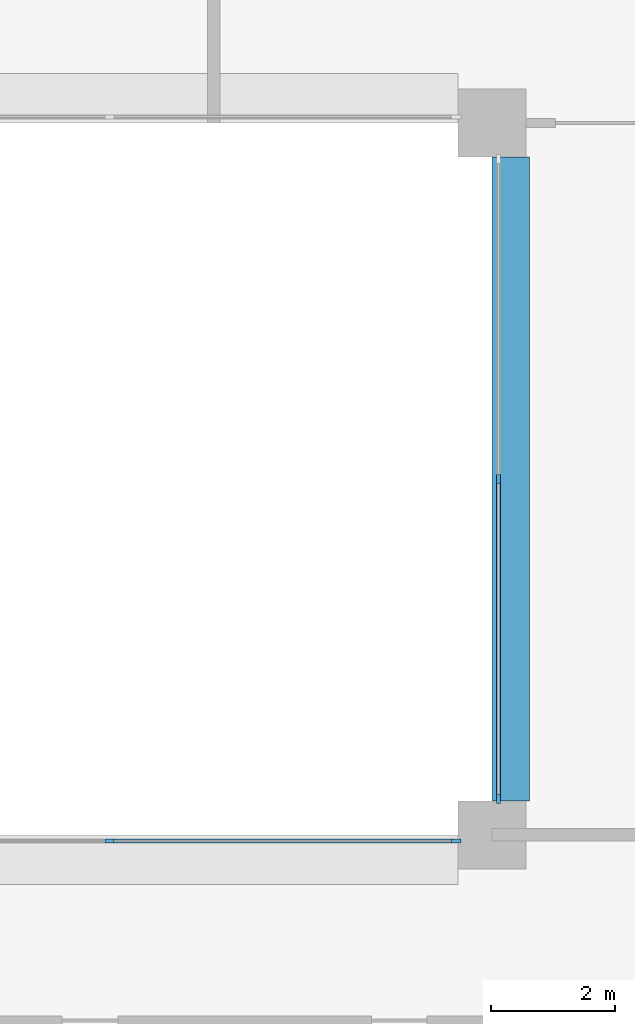
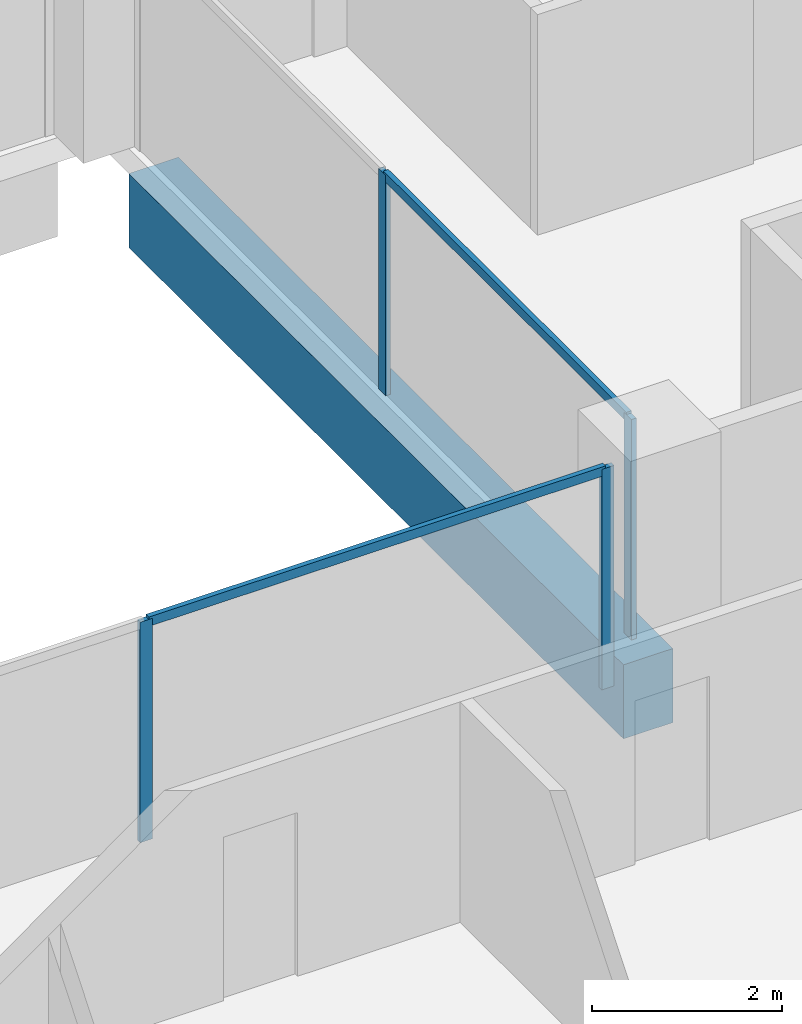
# One storey, part 4 of 15: 6 members, 1 beam, 2 elements without a shape of their own.
"""IFC4 building model written with IfcOpenShell, lengths in metres."""

import ifcopenshell
import ifcopenshell.guid

model = None  # the IFC model being written
_history = None  # IfcOwnerHistory: only IFC2X3 demands one
_inside = {}  # id of a spatial element -> (the spatial element, [elements in it])
_under = {}  # id of a project, library or spatial element -> (it, [spatial elements below it])
_declared = {}  # id of a project -> (the project, [libraries it declares])
_typed = {}  # id of a type object -> (the type object, [elements of that type])
_made_of = {}  # id of a material, layer set ... -> (it, [elements and type objects made of it])


def new_model(schema):
    """Start an empty IFC model of exactly this schema.

    Asked for "IFC4X3", IfcOpenShell would pick the latest addendum, in which some entities
    have other attributes; the version numbers below select the first issue.
    IFC2X3 requires an IfcOwnerHistory on every rooted entity: one is made here for all.
    """
    global model, _history
    if schema == "IFC4X3":
        model = ifcopenshell.file(schema_version=(4, 3, 0, 0))
    else:
        model = ifcopenshell.file(schema=schema)
    _inside.clear()
    _under.clear()
    _declared.clear()
    _typed.clear()
    _made_of.clear()
    _history = None
    if model.schema == "IFC2X3":
        org = make("IfcOrganization", Name="unknown")
        user = make(
            "IfcPersonAndOrganization",
            ThePerson=make("IfcPerson", FamilyName="unknown"),
            TheOrganization=org,
        )
        app = make(
            "IfcApplication",
            ApplicationDeveloper=org,
            Version="unknown",
            ApplicationFullName="unknown",
            ApplicationIdentifier="unknown",
        )
        _history = make(
            "IfcOwnerHistory",
            OwningUser=user,
            OwningApplication=app,
            ChangeAction="ADDED",
            CreationDate=0,
        )
    return model


def make(cls, **values):
    """One entity of the class cls with the attributes given. An attribute that is None is left unset."""
    return model.create_entity(
        cls, **{name: value for name, value in values.items() if value is not None}
    )


def rooted(cls, **values):
    """An entity with a GlobalId (a new one), such as an element, a storey or a relation."""
    return make(cls, GlobalId=ifcopenshell.guid.new(), OwnerHistory=_history, **values)


def si_unit(unit_type, name, prefix=None):
    """IfcSIUnit, for example si_unit("LENGTHUNIT", "METRE", prefix="MILLI")."""
    return make("IfcSIUnit", UnitType=unit_type, Prefix=prefix, Name=name)


def assignment(units):
    """IfcUnitAssignment: the units of a project."""
    return None if units is None else make("IfcUnitAssignment", Units=units)


def point(xyz):
    """IfcCartesianPoint."""
    return None if xyz is None else make("IfcCartesianPoint", Coordinates=xyz)


def direction(xyz):
    """IfcDirection."""
    return None if xyz is None else make("IfcDirection", DirectionRatios=xyz)


def frame(location, z_axis=None, x_axis=None):
    """IfcAxis2Placement3D, a coordinate frame: its origin and axes. An axis left out is left unset."""
    return make(
        "IfcAxis2Placement3D",
        Location=point(location),
        Axis=direction(z_axis),
        RefDirection=direction(x_axis),
    )


def frame_2d(location, x_axis=None):
    """IfcAxis2Placement2D, a coordinate frame in the plane: its origin and x axis."""
    return make(
        "IfcAxis2Placement2D", Location=point(location), RefDirection=direction(x_axis)
    )


def origin():
    """The frame at (0, 0, 0) with its axes left unset."""
    return frame((0.0, 0.0, 0.0))


def origin_2d():
    """The frame at (0, 0) in the plane with its x axis left unset."""
    return frame_2d((0.0, 0.0))


def place(relative_to, where):
    """IfcLocalPlacement: puts the frame where relative to a parent placement (None: the world)."""
    return make(
        "IfcLocalPlacement", PlacementRelTo=relative_to, RelativePlacement=where
    )


def context(
    kind, dimensions, precision=None, world=None, true_north=None, identifier=None
):
    """IfcGeometricRepresentationContext, for example the 3D "Model" context."""
    return make(
        "IfcGeometricRepresentationContext",
        ContextIdentifier=identifier,
        ContextType=kind,
        CoordinateSpaceDimension=dimensions,
        Precision=precision,
        WorldCoordinateSystem=world,
        TrueNorth=true_north,
    )


def subcontext(parent, identifier, kind, view, scale=None):
    """IfcGeometricRepresentationSubContext, for example "Body" below "Model"."""
    return make(
        "IfcGeometricRepresentationSubContext",
        ContextIdentifier=identifier,
        ContextType=kind,
        ParentContext=parent,
        TargetScale=scale,
        TargetView=view,
    )


def project(units=None, contexts=None):
    """IfcProject with its units and contexts."""
    return rooted(
        "IfcProject",
        Name="project",
        RepresentationContexts=contexts,
        UnitsInContext=assignment(units),
    )


def spatial(cls, under=None, at=None, **own):
    """A site, building, storey or space (cls), placed at a placement, below another one or the project."""
    s = rooted(cls, ObjectPlacement=at, **own)
    if under is not None:
        _under.setdefault(under.id(), (under, []))[1].append(s)
    return s


def profile(cls, at=None, kind="AREA", **sizes):
    """A parametric profile (cls). Its sizes go by their IFC names, for example OverallWidth=200.0."""
    return make(cls, ProfileType=kind, Position=at, **sizes)


def rectangle(**sizes):
    """IfcRectangleProfileDef."""
    return profile("IfcRectangleProfileDef", **sizes)


def extrude(swept, where, along, depth):
    """IfcExtrudedAreaSolid: the profile swept, set in the frame where, extruded along a direction by depth."""
    return make(
        "IfcExtrudedAreaSolid",
        SweptArea=swept,
        Position=where,
        ExtrudedDirection=direction(along),
        Depth=depth,
    )


def shape(context_of_items, identifier, shape_type, items):
    """IfcShapeRepresentation: the items that make up one representation, for example the "Body"."""
    return make(
        "IfcShapeRepresentation",
        ContextOfItems=context_of_items,
        RepresentationIdentifier=identifier,
        RepresentationType=shape_type,
        Items=items,
    )


def material(Name=None, Category=None):
    """IfcMaterial."""
    return make("IfcMaterial", Name=Name, Category=Category)


def layer(
    of_material, thickness, ventilated=None, Name=None, Category=None, Priority=None
):
    """IfcMaterialLayer: one layer of a wall or slab, of a material (None: an air gap)."""
    return make(
        "IfcMaterialLayer",
        Material=of_material,
        LayerThickness=thickness,
        IsVentilated=ventilated,
        Name=Name,
        Category=Category,
        Priority=Priority,
    )


def layer_set(layers, Name=None):
    """IfcMaterialLayerSet."""
    return make("IfcMaterialLayerSet", MaterialLayers=layers, LayerSetName=Name)


def material_profile(
    of_material, cross_section, Name=None, Category=None, Priority=None
):
    """IfcMaterialProfile: a cross section and its material."""
    return make(
        "IfcMaterialProfile",
        Name=Name,
        Material=of_material,
        Profile=cross_section,
        Priority=Priority,
        Category=Category,
    )


def profile_set(profiles, Name=None, composite=None):
    """IfcMaterialProfileSet."""
    return make(
        "IfcMaterialProfileSet",
        Name=Name,
        MaterialProfiles=profiles,
        CompositeProfile=composite,
    )


def made_of(thing, what):
    """Note that an element or type object is made of a material, layer set ...; save() writes the relation."""
    if what is not None:
        _made_of.setdefault(what.id(), (what, []))[1].append(thing)
    return thing


def type_object(cls, material=None, **own):
    """A type object (cls), such as IfcWallType, which elements share."""
    return made_of(rooted(cls, **own), material)


def element(
    cls,
    number,
    at=None,
    inside=None,
    cuts=None,
    type_object=None,
    material=None,
    context=None,
    identifier="Body",
    shape_type=None,
    held_by="IfcProductDefinitionShape",
    body=None,
    shapes=None,
    **own,
):
    """One element of the class cls, such as IfcWall. Its Tag is "e" and its number.

    at: its placement. inside: the storey or other place that contains it. cuts: it is an
    opening in that element (IfcRelVoidsElement). A single representation is given by context,
    identifier, shape_type and body (its items); several are given by shapes. held_by: the class
    of the entity that holds the representations. save() writes the other relations.
    """
    e = rooted(cls, Tag="e%d" % number, ObjectPlacement=at, **own)
    if body is not None:
        shapes = [shape(context, identifier, shape_type, body)]
    if shapes is not None:
        e.Representation = make(held_by, Representations=shapes)
    if inside is not None:
        _inside.setdefault(inside.id(), (inside, []))[1].append(e)
    if cuts is not None:
        rooted(
            "IfcRelVoidsElement", RelatingBuildingElement=cuts, RelatedOpeningElement=e
        )
    if type_object is not None:
        _typed.setdefault(type_object.id(), (type_object, []))[1].append(e)
    return made_of(e, material)


def aggregate(whole, parts):
    """IfcRelAggregates: a whole, such as a stair, and the parts it consists of."""
    return rooted("IfcRelAggregates", RelatingObject=whole, RelatedObjects=parts)


def save(model, path):
    """Write the relations noted so far, then the file.

    IfcRelAggregates (storeys below a building ...), IfcRelContainedInSpatialStructure (elements
    in a storey), IfcRelDefinesByType, IfcRelAssociatesMaterial and IfcRelDeclares: one each for
    every whole, place, type object, material and project.
    """
    for whole, parts in _under.values():
        aggregate(whole, parts)
    for where, things in _inside.values():
        rooted(
            "IfcRelContainedInSpatialStructure",
            RelatedElements=things,
            RelatingStructure=where,
        )
    for kind, things in _typed.values():
        rooted("IfcRelDefinesByType", RelatedObjects=things, RelatingType=kind)
    for what, things in _made_of.values():
        rooted("IfcRelAssociatesMaterial", RelatedObjects=things, RelatingMaterial=what)
    for by, libraries in _declared.values():
        rooted("IfcRelDeclares", RelatingContext=by, RelatedDefinitions=libraries)
    model.write(path)


model = new_model("IFC4")

# Units and contexts
model_context = context("Model", 3, precision=1e-05, world=origin(), true_north=direction((0.0, 1.0)))
body_context = subcontext(model_context, "Body", "Model", "MODEL_VIEW")
ifc_project = project(units=[si_unit("LENGTHUNIT", "METRE"), si_unit("AREAUNIT", "SQUARE_METRE"), si_unit("VOLUMEUNIT", "CUBIC_METRE"), si_unit("PLANEANGLEUNIT", "RADIAN"), si_unit("MASSUNIT", "GRAM", prefix="KILO")], contexts=[model_context])

# Site, building, storey
site_placement = place(None, origin())
site = spatial("IfcSite", under=ifc_project, at=site_placement, CompositionType="ELEMENT")
building_placement = place(site_placement, origin())
building = spatial("IfcBuilding", under=site, at=building_placement, Name="Brigalow Station Residences", CompositionType="ELEMENT")
storey_placement = place(building_placement, frame((0.0, 0.0, 153.89990234375)))
storey = spatial("IfcBuildingStorey", under=building, at=storey_placement, Name="L44", CompositionType="ELEMENT", Elevation=153.89990234375)

# Beam
ifc_material_1 = material(Name="Concrete C65", Category="concrete")
ifc_material_profile_1 = material_profile(ifc_material_1, rectangle(XDim=0.60009765625, YDim=0.949951171875, at=origin_2d()), Name="RC600x950")
ifc_profile_set_1 = profile_set([ifc_material_profile_1], Name="Concrete C65")
beam_type = type_object("IfcBeamType", Name="ATRIUM EDGE GIRDER 600x950 C65", PredefinedType="BEAM", material=ifc_profile_set_1)
beam_placement = place(storey_placement, frame((45.300048828125, 24.550048828125, -0.794921875), z_axis=(0.0, 1.0, 0.0), x_axis=(-1.0, 0.0, 0.0)))
element("IfcBeam", 1, at=beam_placement, inside=storey, type_object=beam_type, Name="ATRIUM EDGE GIRDER 5 L44", PredefinedType="BEAM", context=body_context, shape_type="SweptSolid", body=[
    extrude(rectangle(XDim=0.60009765625, YDim=0.949951171875, at=origin_2d()), origin(), (0.0, 0.0, 1.0), 10.39990234375),
])

# Curtain wall, members
ifc_material_2 = material(Name="Aluminium", Category="aluminium")
ifc_layer = layer(ifc_material_2, 0.14990234375)
ifc_layer_set = layer_set([ifc_layer], Name="ATRIUM FIRE-RATED GLAZING CURTAIN WALL")
curtain_wall_type = type_object("IfcCurtainWallType", Name="ATRIUM FIRE-RATED GLAZING CURTAIN WALL", PredefinedType="NOTDEFINED", material=ifc_layer_set)
curtain_wall_1_placement = place(storey_placement, origin())
curtain_wall_1 = element("IfcCurtainWall", 2, at=curtain_wall_1_placement, inside=storey, type_object=curtain_wall_type, Name="L44/cw/atrium-S", PredefinedType="NOTDEFINED")
ifc_material_3 = material(Name="Aluminium", Category="aluminium")
ifc_material_profile_2 = material_profile(ifc_material_3, rectangle(XDim=0.06005859375, YDim=0.14990234375, at=origin_2d()), Name="ATRIUM FIRE-RATED GLAZING MULLION 60x150")
ifc_profile_set_2 = profile_set([ifc_material_profile_2], Name="Aluminium")
member_type_1 = type_object("IfcMemberType", Name="ATRIUM FIRE-RATED GLAZING MULLION 60x150", PredefinedType="MULLION", material=ifc_profile_set_2)
member_1_placement = place(storey_placement, frame((38.816650390625, 23.89990234375, 0.0), z_axis=(0.0, 0.0, 1.0), x_axis=(0.0, 1.0, 0.0)))
member_1 = element("IfcMember", 3, at=member_1_placement, type_object=member_type_1, Name="L44/cw/atrium-S/M02", PredefinedType="MULLION", context=body_context, shape_type="SweptSolid", body=[
    extrude(rectangle(XDim=0.06005859375, YDim=0.14990234375, at=origin_2d()), origin(), (0.0, 0.0, 1.0), 2.830078125),
])
member_2_placement = place(storey_placement, frame((44.419921875, 23.89990234375, 0.0), z_axis=(0.0, 0.0, 1.0), x_axis=(0.0, 1.0, 0.0)))
member_2 = element("IfcMember", 4, at=member_2_placement, type_object=member_type_1, Name="L44/cw/atrium-S/M03", PredefinedType="MULLION", context=body_context, shape_type="SweptSolid", body=[
    extrude(rectangle(XDim=0.06005859375, YDim=0.14990234375, at=origin_2d()), origin(), (0.0, 0.0, 1.0), 2.830078125),
])

curtain_wall_2_placement = place(storey_placement, origin())
curtain_wall_2 = element("IfcCurtainWall", 5, at=curtain_wall_2_placement, inside=storey, type_object=curtain_wall_type, Name="L44/cw/atrium-E", PredefinedType="NOTDEFINED")
member_3_placement = place(storey_placement, frame((45.10009765625, 24.580078125, 0.0), z_axis=(0.0, 0.0, 1.0), x_axis=(-1.0, 0.0, 0.0)))
member_3 = element("IfcMember", 6, at=member_3_placement, type_object=member_type_1, Name="L44/cw/atrium-E/M00", PredefinedType="MULLION", context=body_context, shape_type="SweptSolid", body=[
    extrude(rectangle(XDim=0.06005859375, YDim=0.14990234375, at=origin_2d()), origin(), (0.0, 0.0, 1.0), 2.830078125),
])
member_4_placement = place(storey_placement, frame((45.10009765625, 29.75, 0.0), z_axis=(0.0, 0.0, 1.0), x_axis=(-1.0, 0.0, 0.0)))
member_4 = element("IfcMember", 7, at=member_4_placement, type_object=member_type_1, Name="L44/cw/atrium-E/M01", PredefinedType="MULLION", context=body_context, shape_type="SweptSolid", body=[
    extrude(rectangle(XDim=0.06005859375, YDim=0.14990234375, at=origin_2d()), origin(), (0.0, 0.0, 1.0), 2.830078125),
])

# Member
ifc_material_4 = material(Name="Aluminium", Category="aluminium")
ifc_material_profile_3 = material_profile(ifc_material_4, rectangle(XDim=0.06005859375, YDim=0.1201171875, at=origin_2d()), Name="ATRIUM FIRE-RATED GLAZING TRANSOM 60x120")
ifc_profile_set_3 = profile_set([ifc_material_profile_3], Name="Aluminium")
member_type_2 = type_object("IfcMemberType", Name="ATRIUM FIRE-RATED GLAZING TRANSOM 60x120", PredefinedType="USERDEFINED", material=ifc_profile_set_3)
member_5_placement = place(storey_placement, frame((38.8466796875, 23.89990234375, 2.800048828125), z_axis=(1.0, 0.0, 0.0), x_axis=(0.0, 1.0, 0.0)))
member_5 = element("IfcMember", 8, at=member_5_placement, type_object=member_type_2, Name="L44/cw/atrium-S/T02-00", ObjectType="TRANSOM", PredefinedType="USERDEFINED", context=body_context, shape_type="SweptSolid", body=[
    extrude(rectangle(XDim=0.06005859375, YDim=0.1201171875, at=origin_2d()), origin(), (0.0, 0.0, 1.0), 5.543212890625),
])

aggregate(curtain_wall_1, [member_1, member_2, member_5])

member_6_placement = place(storey_placement, frame((45.10009765625, 24.610107421875, 2.800048828125), z_axis=(0.0, 1.0, 0.0), x_axis=(-1.0, 0.0, 0.0)))
member_6 = element("IfcMember", 9, at=member_6_placement, type_object=member_type_2, Name="L44/cw/atrium-E/T00-00", ObjectType="TRANSOM", PredefinedType="USERDEFINED", context=body_context, shape_type="SweptSolid", body=[
    extrude(rectangle(XDim=0.06005859375, YDim=0.1201171875, at=origin_2d()), origin(), (0.0, 0.0, 1.0), 5.10986328125),
])

aggregate(curtain_wall_2, [member_3, member_4, member_6])

save(model, "model.ifc")
